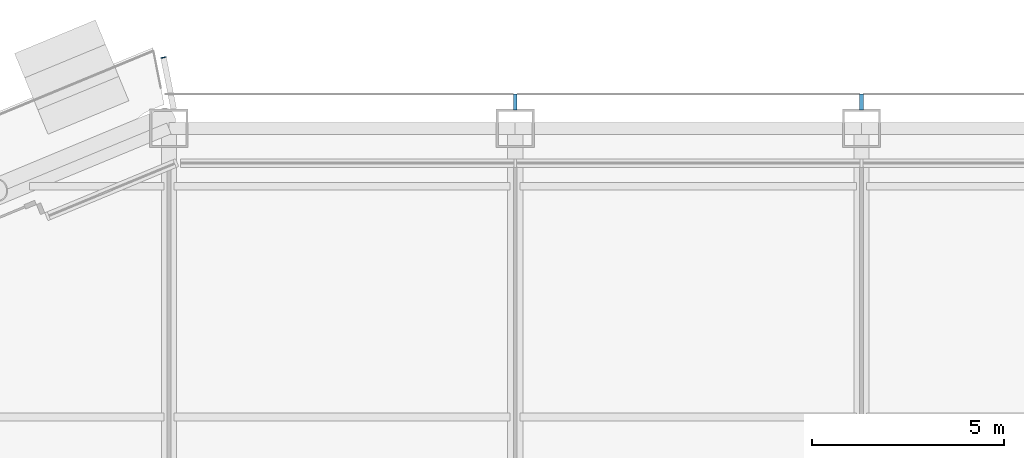
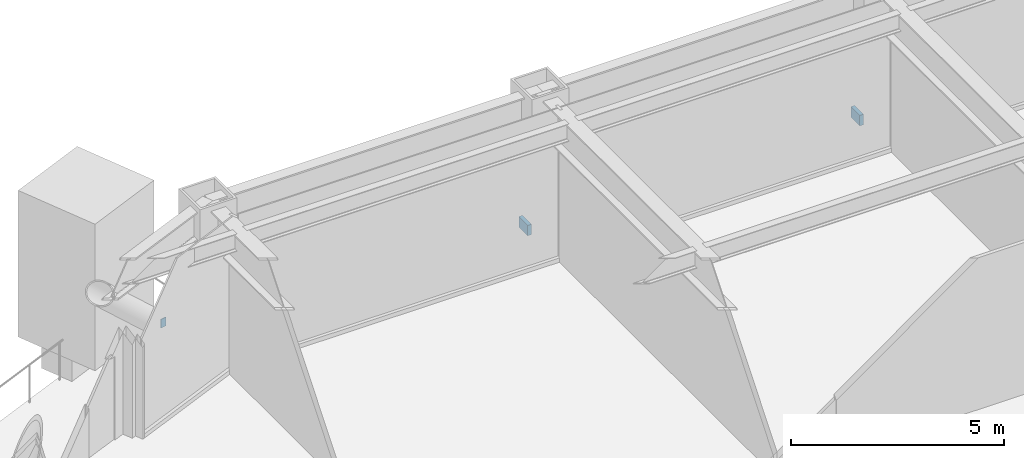
# One storey, part 22 of 29: 3 discrete accessories.
"""IFC4 building model written with IfcOpenShell, lengths in metres."""

from ifc_helpers import new_model, si_unit, direction, frame, origin, origin_2d, place, context, subcontext, project, spatial, rectangle, extrude, material, layer, layer_set, type_object, element, save


model = new_model("IFC4")

# Units and contexts
model_context = context("Model", 3, precision=1e-05, world=origin(), true_north=direction((0.0, 1.0)))
body_context = subcontext(model_context, "Body", "Model", "MODEL_VIEW")
ifc_project = project(units=[si_unit("LENGTHUNIT", "METRE"), si_unit("AREAUNIT", "SQUARE_METRE"), si_unit("VOLUMEUNIT", "CUBIC_METRE"), si_unit("PLANEANGLEUNIT", "RADIAN"), si_unit("MASSUNIT", "GRAM", prefix="KILO")], contexts=[model_context])

# Site, building, storey
site_placement = place(None, origin())
site = spatial("IfcSite", under=ifc_project, at=site_placement, CompositionType="ELEMENT")
building_placement = place(site_placement, origin())
building = spatial("IfcBuilding", under=site, at=building_placement, Name="Siwar Civic Tower", CompositionType="ELEMENT")
storey_placement = place(building_placement, frame((0.0, 0.0, 67.199951171875)))
storey = spatial("IfcBuildingStorey", under=building, at=storey_placement, Name="L14", CompositionType="ELEMENT", Elevation=67.199951171875)

# Discrete accessories
ifc_material_1 = material(Name="Stainless steel 316", Category="steel")
discrete_accessory_type_1 = type_object("IfcDiscreteAccessoryType", Name="ENV-BRACKET", PredefinedType="BRACKET", material=ifc_material_1)
for number, where, z_axis, x_axis, name in (
    (1, (-4.5, 32.18994140625, -0.14990234375), (0.0, 0.0, 1.0), (0.0, 1.0, 0.0), "Bracket outer skin joint N-03"),
    (2, (-13.5, 32.18994140625, -0.14990234375), (0.0, 0.0, 1.0), (0.0, 1.0, 0.0), "Bracket outer skin joint N-04"),
):
    element("IfcDiscreteAccessory", number, at=place(storey_placement, frame(where, z_axis=z_axis, x_axis=x_axis)), inside=storey, type_object=discrete_accessory_type_1, Name=name, PredefinedType="BRACKET", context=body_context, shape_type="SweptSolid", body=[
        extrude(rectangle(XDim=0.419921875, YDim=0.10009765625, at=origin_2d()), origin(), (0.0, 0.0, 1.0), 0.300048828125),
    ])
ifc_material_2 = material(Name="Steel S355", Category="steel")
ifc_layer = layer(ifc_material_2, 0.02001953125)
ifc_layer_set = layer_set([ifc_layer], Name="Steel S355")
discrete_accessory_type_2 = type_object("IfcDiscreteAccessoryType", Name="STR-END-CAP", PredefinedType="USERDEFINED", material=ifc_layer_set)
discrete_accessory_placement = place(storey_placement, frame((-22.642578125, 33.3447265625, -0.39990234375), z_axis=(0.0, 0.0, 1.0), x_axis=(-0.195090322119, 0.980785280383, 0.0)))
element("IfcDiscreteAccessory", 3, at=discrete_accessory_placement, inside=storey, type_object=discrete_accessory_type_2, Name="End cap plate Balcony cantilever beam NW 1", ObjectType="END CAP PLATE", PredefinedType="USERDEFINED", context=body_context, shape_type="SweptSolid", body=[
    extrude(rectangle(XDim=0.02001953125, YDim=0.14990234375, at=origin_2d()), origin(), (0.0, 0.0, 1.0), 0.25),
])

save(model, "model.ifc")
